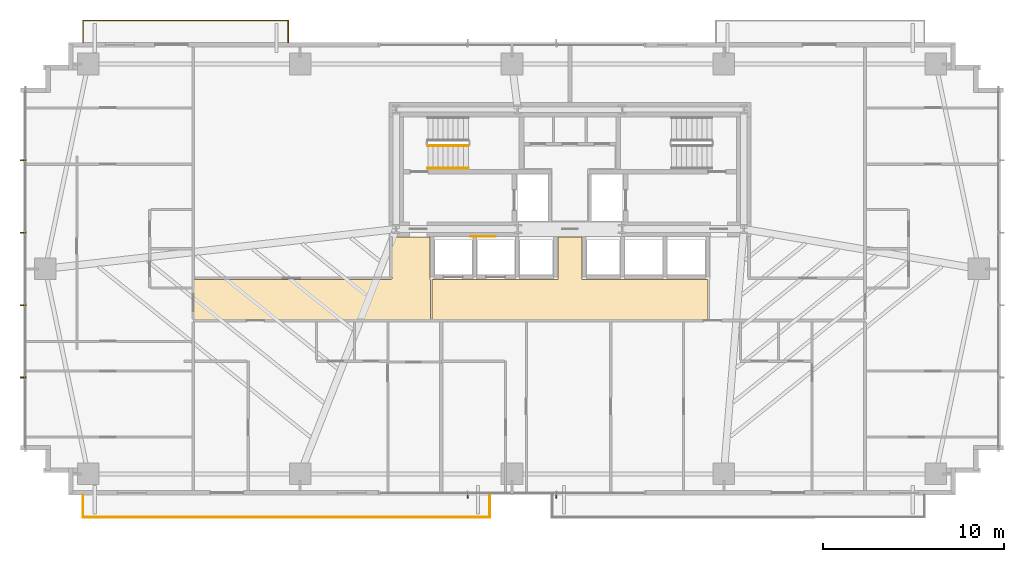
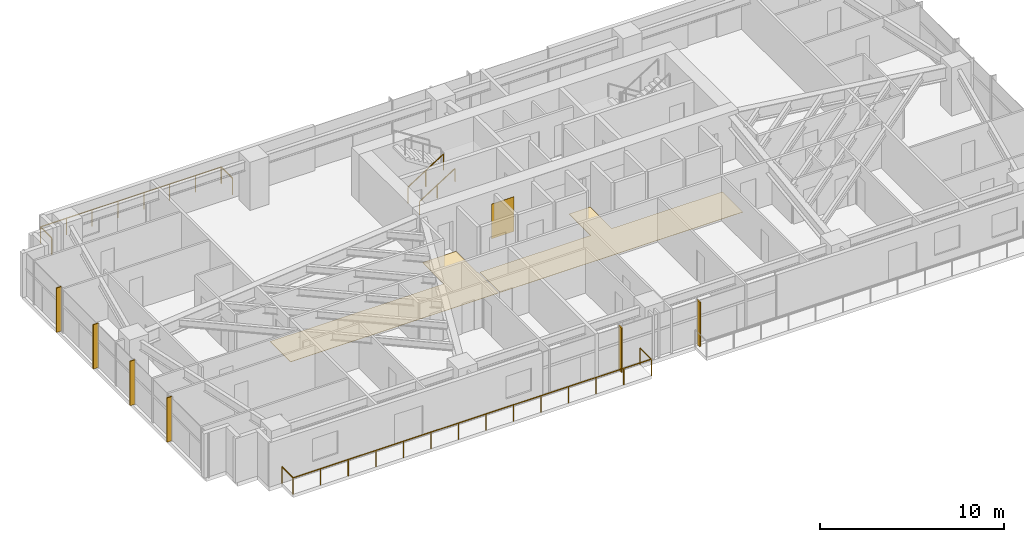
# One storey, part 23 of 25: 6 shading devices, 4 railings, 3 coverings.
"""IFC4 building model written with IfcOpenShell, lengths in metres."""

from ifc_helpers import new_model, si_unit, direction, frame, origin, origin_2d, place, context, subcontext, project, spatial, polyline, rectangle, outline, extrude, source, transform, mapped, material, layer, layer_set, type_object, type_shapes, element, save


model = new_model("IFC4")

# Units and contexts
model_context = context("Model", 3, precision=1e-05, world=origin(), true_north=direction((0.0, 1.0)))
body_context = subcontext(model_context, "Body", "Model", "MODEL_VIEW")
ifc_project = project(units=[si_unit("LENGTHUNIT", "METRE"), si_unit("AREAUNIT", "SQUARE_METRE"), si_unit("VOLUMEUNIT", "CUBIC_METRE"), si_unit("PLANEANGLEUNIT", "RADIAN"), si_unit("MASSUNIT", "GRAM", prefix="KILO")], contexts=[model_context])

# Site, building, storey
site_placement = place(None, origin())
site = spatial("IfcSite", under=ifc_project, at=site_placement, CompositionType="ELEMENT")
building_placement = place(site_placement, origin())
building = spatial("IfcBuilding", under=site, at=building_placement, Name="Astriad Promenade Condominiums", CompositionType="ELEMENT")
storey_placement = place(building_placement, frame((0.0, 0.0, 29.39990234375)))
storey = spatial("IfcBuildingStorey", under=building, at=storey_placement, Name="L07", CompositionType="ELEMENT", Elevation=29.39990234375)

# Coverings
ifc_material_1 = material(Name="Polished Lakefront Terrazzo Flooring")
ifc_layer_1 = layer(ifc_material_1, 0.02001953125)
ifc_layer_set_1 = layer_set([ifc_layer_1], Name="Polished Lakefront Terrazzo Flooring")
covering_type_1 = type_object("IfcCoveringType", Name="COV-FLOR-TERRAZZO-20", PredefinedType="FLOORING", material=ifc_layer_set_1)
covering_1_placement = place(storey_placement, origin())
element("IfcCovering", 1, at=covering_1_placement, inside=storey, type_object=covering_type_1, Name="FLR-L07-LLB", PredefinedType="FLOORING", context=body_context, shape_type="SweptSolid", body=[
    extrude(outline(polyline([(43.610107421875, 14.610107421875), (43.610107421875, 12.389892578125), (28.389892578125, 12.389892578125), (28.389892578125, 14.610107421875), (35.300048828125, 14.610107421875), (35.303955078125, 14.610107421875), (35.307861328125, 14.61083984375), (35.3115234375, 14.61181640625), (35.315185546875, 14.613037109375), (35.31884765625, 14.61474609375), (35.322265625, 14.61669921875), (35.325439453125, 14.619140625), (35.328369140625, 14.62158203125), (35.330810546875, 14.62451171875), (35.333251953125, 14.627685546875), (35.335205078125, 14.631103515625), (35.3369140625, 14.634765625), (35.33837890625, 14.638427734375), (35.339111328125, 14.64208984375), (35.33984375, 14.64599609375), (35.340087890625, 14.64990234375), (35.340087890625, 16.9599609375), (36.659912109375, 16.9599609375), (36.659912109375, 14.64990234375), (36.66015625, 14.64599609375), (36.660888671875, 14.64208984375), (36.66162109375, 14.638427734375), (36.6630859375, 14.634765625), (36.664794921875, 14.631103515625), (36.666748046875, 14.627685546875), (36.669189453125, 14.62451171875), (36.671630859375, 14.62158203125), (36.674560546875, 14.619140625), (36.677734375, 14.61669921875), (36.68115234375, 14.61474609375), (36.684814453125, 14.613037109375), (36.6884765625, 14.61181640625), (36.692138671875, 14.61083984375), (36.696044921875, 14.610107421875), (36.699951171875, 14.610107421875), (43.610107421875, 14.610107421875)])), origin(), (0.0, 0.0, 1.0), 0.02001953125),
])
covering_2_placement = place(storey_placement, origin())
element("IfcCovering", 2, at=covering_2_placement, inside=storey, type_object=covering_type_1, Name="FLR-L07-COR-2", PredefinedType="FLOORING", context=body_context, shape_type="SweptSolid", body=[
    extrude(outline(polyline([(28.300048828125, 12.389892578125), (15.239990234375, 12.389892578125), (15.239990234375, 14.6201171875), (26.1201171875, 14.6201171875), (26.123779296875, 14.6201171875), (26.127685546875, 14.620849609375), (26.131591796875, 14.62158203125), (26.13525390625, 14.623046875), (26.138916015625, 14.624755859375), (26.14208984375, 14.626708984375), (26.1455078125, 14.629150390625), (26.148193359375, 14.631591796875), (26.15087890625, 14.634521484375), (26.1533203125, 14.6376953125), (26.1552734375, 14.64111328125), (26.156982421875, 14.644775390625), (26.158203125, 14.6484375), (26.1591796875, 14.652099609375), (26.159912109375, 14.656005859375), (26.159912109375, 14.659912109375), (26.159912109375, 16.9599609375), (28.260009765625, 16.9599609375), (28.260009765625, 14.64990234375), (28.26025390625, 14.64599609375), (28.2607421875, 14.64208984375), (28.26171875, 14.638427734375), (28.262939453125, 14.634765625), (28.2646484375, 14.631103515625), (28.2666015625, 14.627685546875), (28.26904296875, 14.62451171875), (28.271728515625, 14.62158203125), (28.274658203125, 14.619140625), (28.27783203125, 14.61669921875), (28.281005859375, 14.61474609375), (28.28466796875, 14.613037109375), (28.288330078125, 14.61181640625), (28.292236328125, 14.61083984375), (28.296142578125, 14.610107421875), (28.300048828125, 14.610107421875), (28.300048828125, 12.389892578125)])), origin(), (0.0, 0.0, 1.0), 0.02001953125),
])

# Shading devices
ifc_material_2 = material(Name="Anodised aluminium 6063-T6 Black Fin", Category="aluminium")
shading_device_type = type_object("IfcShadingDeviceType", Name="FIN-BLACK-320", PredefinedType="USERDEFINED", material=ifc_material_2)
shared_shape_1 = source(origin(), body_context, "Body", "SweptSolid", [
    extrude(rectangle(XDim=0.06494140625, YDim=0.320068359375, at=origin_2d()), origin(), (0.0, 0.0, 1.0), 2.93994140625),
])
type_shapes(shading_device_type, [shared_shape_1])
for number, where, z_axis, x_axis, name in (
    (3, (5.7900390625, 9.199951171875, 0.000244140625), (0.0, 0.0, 1.0), (0.0, 1.0, 0.0), "CW-L07-W-FIN-01"),
    (4, (5.7900390625, 13.199951171875, 0.000244140625), (0.0, 0.0, 1.0), (0.0, 1.0, 0.0), "CW-L07-W-FIN-02"),
    (5, (5.7900390625, 17.199951171875, 0.000244140625), (0.0, 0.0, 1.0), (0.0, 1.0, 0.0), "CW-L07-W-FIN-03"),
    (6, (5.7900390625, 21.199951171875, 0.000244140625), (0.0, 0.0, 1.0), (0.0, 1.0, 0.0), "CW-L07-W-FIN-04"),
    (7, (35.25, 2.68994140625, 0.000244140625), (0.0, 0.0, 1.0), (-1.0, 0.0, 0.0), "CW-L07-S-FIN-01"),
    (8, (30.35009765625, 2.68994140625, 0.000244140625), (0.0, 0.0, 1.0), (-1.0, 0.0, 0.0), "CW-L07-S-FIN-02"),
):
    element("IfcShadingDevice", number, at=place(storey_placement, frame(where, z_axis=z_axis, x_axis=x_axis)), inside=storey, type_object=shading_device_type, Name=name, ObjectType="FIN", PredefinedType="USERDEFINED", context=body_context, shape_type="MappedRepresentation", body=[
        mapped(shared_shape_1, transform((0.0, 0.0, 0.0), scale=1.0)),
    ])

# Railings
ifc_material_3 = material(Name="Laminated Glass and Stainless Steel Balustrade", Category="steel")
railing_type_1 = type_object("IfcRailingType", Name="GRD-BALC-1120", PredefinedType="BALUSTRADE", material=ifc_material_3)
shared_shape_2 = source(origin(), body_context, "Body", "SweptSolid", [
    extrude(rectangle(XDim=0.048095703125, YDim=0.048095703125, at=origin_2d()), frame((0.0, 0.0, 1.09619140625), z_axis=(0.0, -1.0, 0.0), x_axis=(1.0, 0.0, 0.0)), (0.0, 0.0, 1.0), 1.219970703125),
    extrude(rectangle(XDim=0.048095703125, YDim=0.048095703125, at=origin_2d()), frame((0.0, -1.219970703125, 1.09619140625), z_axis=(1.0, 0.0, 0.0), x_axis=(0.0, 1.0, 0.0)), (0.0, 0.0, 1.0), 22.462158203125),
    extrude(rectangle(XDim=0.048095703125, YDim=0.048095703125, at=origin_2d()), frame((22.462158203125, -1.219970703125, 1.09619140625), z_axis=(0.0, 1.0, 0.0), x_axis=(-1.0, 0.0, 0.0)), (0.0, 0.0, 1.0), 1.219970703125),
    extrude(rectangle(XDim=0.0419921875, YDim=0.0419921875, at=origin_2d()), origin(), (0.0, 0.0, 1.0), 1.072021484375),
    extrude(rectangle(XDim=0.0419921875, YDim=0.0419921875, at=origin_2d()), frame((0.0, -1.219970703125, 0.0)), (0.0, 0.0, 1.0), 1.072021484375),
    extrude(rectangle(XDim=0.0419921875, YDim=0.0419921875, at=origin_2d()), frame((1.727783203125, -1.219970703125, 0.0)), (0.0, 0.0, 1.0), 1.072021484375),
    extrude(rectangle(XDim=0.0419921875, YDim=0.0419921875, at=origin_2d()), frame((3.455810546875, -1.219970703125, 0.0)), (0.0, 0.0, 1.0), 1.072021484375),
    extrude(rectangle(XDim=0.0419921875, YDim=0.0419921875, at=origin_2d()), frame((5.18359375, -1.219970703125, 0.0)), (0.0, 0.0, 1.0), 1.072021484375),
    extrude(rectangle(XDim=0.0419921875, YDim=0.0419921875, at=origin_2d()), frame((6.911376953125, -1.219970703125, 0.0)), (0.0, 0.0, 1.0), 1.072021484375),
    extrude(rectangle(XDim=0.0419921875, YDim=0.0419921875, at=origin_2d()), frame((8.639404296875, -1.219970703125, 0.0)), (0.0, 0.0, 1.0), 1.072021484375),
    extrude(rectangle(XDim=0.0419921875, YDim=0.0419921875, at=origin_2d()), frame((10.3671875, -1.219970703125, 0.0)), (0.0, 0.0, 1.0), 1.072021484375),
    extrude(rectangle(XDim=0.0419921875, YDim=0.0419921875, at=origin_2d()), frame((12.094970703125, -1.219970703125, 0.0)), (0.0, 0.0, 1.0), 1.072021484375),
    extrude(rectangle(XDim=0.0419921875, YDim=0.0419921875, at=origin_2d()), frame((13.82275390625, -1.219970703125, 0.0)), (0.0, 0.0, 1.0), 1.072021484375),
    extrude(rectangle(XDim=0.0419921875, YDim=0.0419921875, at=origin_2d()), frame((15.55078125, -1.219970703125, 0.0)), (0.0, 0.0, 1.0), 1.072021484375),
    extrude(rectangle(XDim=0.0419921875, YDim=0.0419921875, at=origin_2d()), frame((17.278564453125, -1.219970703125, 0.0)), (0.0, 0.0, 1.0), 1.072021484375),
    extrude(rectangle(XDim=0.0419921875, YDim=0.0419921875, at=origin_2d()), frame((19.00634765625, -1.219970703125, 0.0)), (0.0, 0.0, 1.0), 1.072021484375),
    extrude(rectangle(XDim=0.0419921875, YDim=0.0419921875, at=origin_2d()), frame((20.734375, -1.219970703125, 0.0)), (0.0, 0.0, 1.0), 1.072021484375),
    extrude(rectangle(XDim=0.0419921875, YDim=0.0419921875, at=origin_2d()), frame((22.462158203125, -1.219970703125, 0.0)), (0.0, 0.0, 1.0), 1.072021484375),
    extrude(rectangle(XDim=0.0419921875, YDim=0.0419921875, at=origin_2d()), frame((22.462158203125, 0.0, 0.0)), (0.0, 0.0, 1.0), 1.072021484375),
])
railing_1_placement = place(storey_placement, frame((9.10595703125, 2.699951171875, 0.0)))
element("IfcRailing", 9, at=railing_1_placement, inside=storey, type_object=railing_type_1, Name="GRD-BALC-L07-SW", PredefinedType="BALUSTRADE", context=body_context, shape_type="MappedRepresentation", body=[
    mapped(shared_shape_2, transform((0.0, 0.0, 0.0), scale=1.0)),
])
shared_shape_3 = source(origin(), body_context, "Body", "SweptSolid", [
    extrude(rectangle(XDim=0.048095703125, YDim=0.048095703125, at=origin_2d()), frame((0.0, 0.0, 1.09619140625), z_axis=(0.0, 1.0, 0.0), x_axis=(-1.0, 0.0, 0.0)), (0.0, 0.0, 1.0), 1.219970703125),
    extrude(rectangle(XDim=0.048095703125, YDim=0.048095703125, at=origin_2d()), frame((0.0, 1.219970703125, 1.09619140625), z_axis=(-1.0, 0.0, 0.0), x_axis=(0.0, -1.0, 0.0)), (0.0, 0.0, 1.0), 11.333984375),
    extrude(rectangle(XDim=0.048095703125, YDim=0.048095703125, at=origin_2d()), frame((-11.333984375, 1.219970703125, 1.09619140625), z_axis=(0.0, -1.0, 0.0), x_axis=(1.0, 0.0, 0.0)), (0.0, 0.0, 1.0), 1.219970703125),
    extrude(rectangle(XDim=0.0419921875, YDim=0.0419921875, at=origin_2d()), origin(), (0.0, 0.0, 1.0), 1.072021484375),
    extrude(rectangle(XDim=0.0419921875, YDim=0.0419921875, at=origin_2d()), frame((0.0, 1.219970703125, 0.0)), (0.0, 0.0, 1.0), 1.072021484375),
    extrude(rectangle(XDim=0.0419921875, YDim=0.0419921875, at=origin_2d()), frame((-1.619140625, 1.219970703125, 0.0)), (0.0, 0.0, 1.0), 1.072021484375),
    extrude(rectangle(XDim=0.0419921875, YDim=0.0419921875, at=origin_2d()), frame((-3.23828125, 1.219970703125, 0.0)), (0.0, 0.0, 1.0), 1.072021484375),
    extrude(rectangle(XDim=0.0419921875, YDim=0.0419921875, at=origin_2d()), frame((-4.857421875, 1.219970703125, 0.0)), (0.0, 0.0, 1.0), 1.072021484375),
    extrude(rectangle(XDim=0.0419921875, YDim=0.0419921875, at=origin_2d()), frame((-6.4765625, 1.219970703125, 0.0)), (0.0, 0.0, 1.0), 1.072021484375),
    extrude(rectangle(XDim=0.0419921875, YDim=0.0419921875, at=origin_2d()), frame((-8.095703125, 1.219970703125, 0.0)), (0.0, 0.0, 1.0), 1.072021484375),
    extrude(rectangle(XDim=0.0419921875, YDim=0.0419921875, at=origin_2d()), frame((-9.71484375, 1.219970703125, 0.0)), (0.0, 0.0, 1.0), 1.072021484375),
    extrude(rectangle(XDim=0.0419921875, YDim=0.0419921875, at=origin_2d()), frame((-11.333984375, 1.219970703125, 0.0)), (0.0, 0.0, 1.0), 1.072021484375),
    extrude(rectangle(XDim=0.0419921875, YDim=0.0419921875, at=origin_2d()), frame((-11.333984375, 0.0, 0.0)), (0.0, 0.0, 1.0), 1.072021484375),
])
type_shapes(railing_type_1, [shared_shape_2, shared_shape_3])
railing_2_placement = place(storey_placement, frame((20.43994140625, 27.699951171875, 0.0)))
element("IfcRailing", 10, at=railing_2_placement, inside=storey, type_object=railing_type_1, Name="GRD-BALC-L07-NW", PredefinedType="BALUSTRADE", context=body_context, shape_type="MappedRepresentation", body=[
    mapped(shared_shape_3, transform((0.0, 0.0, 0.0), scale=1.0)),
])
ifc_material_4 = material(Name="Painted Galvanised Steel Guardrail", Category="steel")
railing_type_2 = type_object("IfcRailingType", Name="GRD-STAIR-1100", PredefinedType="GUARDRAIL", material=ifc_material_4)
shared_shape_4 = source(origin(), body_context, "Body", "SweptSolid", [
    extrude(rectangle(XDim=0.048095703125, YDim=0.048095703125, at=origin_2d()), frame((0.0, 0.0, 1.076171875), z_axis=(0.8442293374, 0.0, 0.53598211339), x_axis=(0.0, 1.0, 0.0)), (0.0, 0.0, 1.0), 2.6533203125),
    extrude(rectangle(XDim=0.0419921875, YDim=0.0419921875, at=origin_2d()), origin(), (0.0, 0.0, 1.0), 1.052001953125),
    extrude(rectangle(XDim=0.0419921875, YDim=0.0419921875, at=origin_2d()), frame((1.1201171875, 0.0, 0.7109375)), (0.0, 0.0, 1.0), 1.052001953125),
    extrude(rectangle(XDim=0.0419921875, YDim=0.0419921875, at=origin_2d()), frame((2.239990234375, 0.0, 1.422119140625)), (0.0, 0.0, 1.0), 1.052001953125),
])
type_shapes(railing_type_2, [shared_shape_4])
railing_3_placement = place(storey_placement, frame((28.14990234375, 22.0, 0.177978515625)))
element("IfcRailing", 11, at=railing_3_placement, inside=storey, type_object=railing_type_2, Name="L07 ST-1 stair guard 1", PredefinedType="GUARDRAIL", context=body_context, shape_type="MappedRepresentation", body=[
    mapped(shared_shape_4, transform((0.0, 0.0, 0.0), scale=1.0)),
])
ifc_material_5 = material(Name="Brushed Stainless Steel Handrail", Category="steel")
railing_type_3 = type_object("IfcRailingType", Name="HRL-STAIR-920", PredefinedType="HANDRAIL", material=ifc_material_5)
shared_shape_5 = source(origin(), body_context, "Body", "SweptSolid", [
    extrude(rectangle(XDim=0.048095703125, YDim=0.048095703125, at=origin_2d()), frame((0.0, 0.0, 0.8759765625), z_axis=(0.8442293374, 0.0, 0.53598211339), x_axis=(0.0, 1.0, 0.0)), (0.0, 0.0, 1.0), 2.6533203125),
    extrude(rectangle(XDim=0.0419921875, YDim=0.0419921875, at=origin_2d()), origin(), (0.0, 0.0, 1.0), 0.851806640625),
    extrude(rectangle(XDim=0.0419921875, YDim=0.0419921875, at=origin_2d()), frame((1.1201171875, 0.0, 0.7109375)), (0.0, 0.0, 1.0), 0.851806640625),
    extrude(rectangle(XDim=0.0419921875, YDim=0.0419921875, at=origin_2d()), frame((2.239990234375, 0.0, 1.422119140625)), (0.0, 0.0, 1.0), 0.851806640625),
])
type_shapes(railing_type_3, [shared_shape_5])
railing_4_placement = place(storey_placement, frame((28.14990234375, 20.75, 0.177978515625)))
element("IfcRailing", 12, at=railing_4_placement, inside=storey, type_object=railing_type_3, Name="L07 ST-1 stair handrail 1", PredefinedType="HANDRAIL", context=body_context, shape_type="MappedRepresentation", body=[
    mapped(shared_shape_5, transform((0.0, 0.0, 0.0), scale=1.0)),
])

# Covering
ifc_material_6 = material(Name="Fire-Retardant Acoustic Oak Wall Cladding")
ifc_layer_2 = layer(ifc_material_6, 0.02490234375)
ifc_layer_set_2 = layer_set([ifc_layer_2], Name="Fire-Retardant Acoustic Oak Wall Cladding")
covering_type_2 = type_object("IfcCoveringType", Name="COV-CLAD-TIMBER-25", PredefinedType="CLADDING", material=ifc_layer_set_2)
shared_shape_6 = source(origin(), body_context, "Body", "SweptSolid", [
    extrude(rectangle(XDim=1.39990234375, YDim=0.02490234375, at=origin_2d()), origin(), (0.0, 0.0, 1.0), 2.300048828125),
])
type_shapes(covering_type_2, [shared_shape_6])
covering_3_placement = place(storey_placement, frame((31.199951171875, 16.991455078125, 0.05029296875), z_axis=(0.0, 0.0, 1.0), x_axis=(1.0, 0.0, 0.0)))
element("IfcCovering", 13, at=covering_3_placement, inside=storey, type_object=covering_type_2, Name="CLAD-LOB-L07", PredefinedType="CLADDING", context=body_context, shape_type="MappedRepresentation", body=[
    mapped(shared_shape_6, transform((0.0, 0.0, 0.0), scale=1.0)),
])

save(model, "model.ifc")
